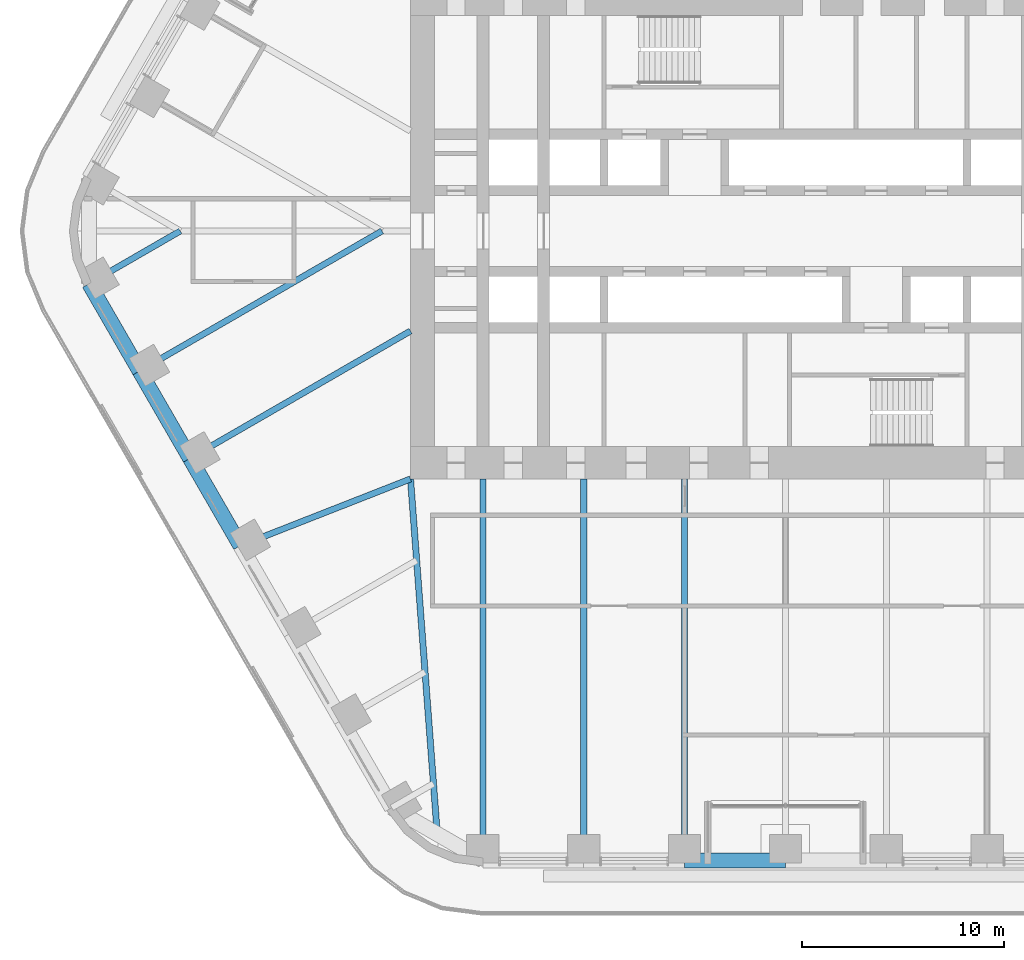
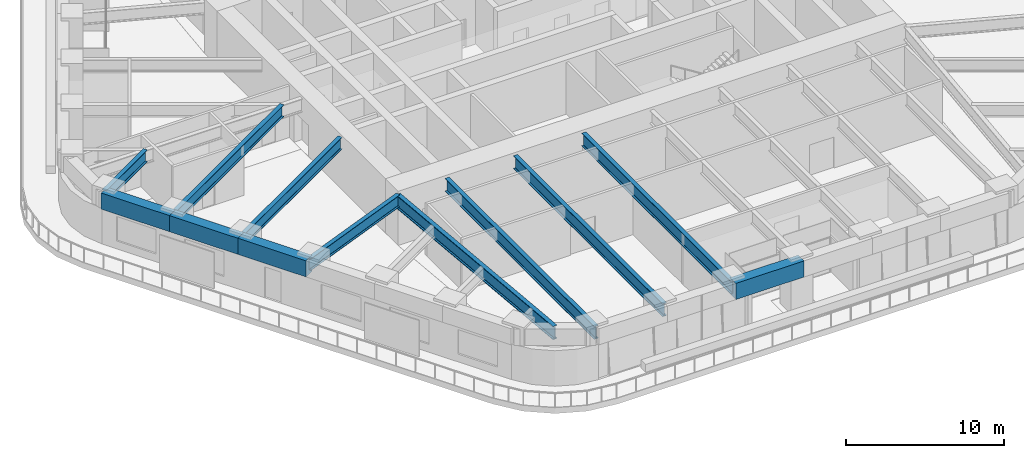
# One storey, part 3 of 24: 12 beams.
"""IFC4 building model written with IfcOpenShell, lengths in metres."""

import ifcopenshell
import ifcopenshell.guid

model = None  # the IFC model being written
_history = None  # IfcOwnerHistory: only IFC2X3 demands one
_inside = {}  # id of a spatial element -> (the spatial element, [elements in it])
_under = {}  # id of a project, library or spatial element -> (it, [spatial elements below it])
_declared = {}  # id of a project -> (the project, [libraries it declares])
_typed = {}  # id of a type object -> (the type object, [elements of that type])
_made_of = {}  # id of a material, layer set ... -> (it, [elements and type objects made of it])


def new_model(schema):
    """Start an empty IFC model of exactly this schema.

    Asked for "IFC4X3", IfcOpenShell would pick the latest addendum, in which some entities
    have other attributes; the version numbers below select the first issue.
    IFC2X3 requires an IfcOwnerHistory on every rooted entity: one is made here for all.
    """
    global model, _history
    if schema == "IFC4X3":
        model = ifcopenshell.file(schema_version=(4, 3, 0, 0))
    else:
        model = ifcopenshell.file(schema=schema)
    _inside.clear()
    _under.clear()
    _declared.clear()
    _typed.clear()
    _made_of.clear()
    _history = None
    if model.schema == "IFC2X3":
        org = make("IfcOrganization", Name="unknown")
        user = make(
            "IfcPersonAndOrganization",
            ThePerson=make("IfcPerson", FamilyName="unknown"),
            TheOrganization=org,
        )
        app = make(
            "IfcApplication",
            ApplicationDeveloper=org,
            Version="unknown",
            ApplicationFullName="unknown",
            ApplicationIdentifier="unknown",
        )
        _history = make(
            "IfcOwnerHistory",
            OwningUser=user,
            OwningApplication=app,
            ChangeAction="ADDED",
            CreationDate=0,
        )
    return model


def make(cls, **values):
    """One entity of the class cls with the attributes given. An attribute that is None is left unset."""
    return model.create_entity(
        cls, **{name: value for name, value in values.items() if value is not None}
    )


def rooted(cls, **values):
    """An entity with a GlobalId (a new one), such as an element, a storey or a relation."""
    return make(cls, GlobalId=ifcopenshell.guid.new(), OwnerHistory=_history, **values)


def si_unit(unit_type, name, prefix=None):
    """IfcSIUnit, for example si_unit("LENGTHUNIT", "METRE", prefix="MILLI")."""
    return make("IfcSIUnit", UnitType=unit_type, Prefix=prefix, Name=name)


def assignment(units):
    """IfcUnitAssignment: the units of a project."""
    return None if units is None else make("IfcUnitAssignment", Units=units)


def point(xyz):
    """IfcCartesianPoint."""
    return None if xyz is None else make("IfcCartesianPoint", Coordinates=xyz)


def direction(xyz):
    """IfcDirection."""
    return None if xyz is None else make("IfcDirection", DirectionRatios=xyz)


def frame(location, z_axis=None, x_axis=None):
    """IfcAxis2Placement3D, a coordinate frame: its origin and axes. An axis left out is left unset."""
    return make(
        "IfcAxis2Placement3D",
        Location=point(location),
        Axis=direction(z_axis),
        RefDirection=direction(x_axis),
    )


def frame_2d(location, x_axis=None):
    """IfcAxis2Placement2D, a coordinate frame in the plane: its origin and x axis."""
    return make(
        "IfcAxis2Placement2D", Location=point(location), RefDirection=direction(x_axis)
    )


def origin():
    """The frame at (0, 0, 0) with its axes left unset."""
    return frame((0.0, 0.0, 0.0))


def origin_2d():
    """The frame at (0, 0) in the plane with its x axis left unset."""
    return frame_2d((0.0, 0.0))


def place(relative_to, where):
    """IfcLocalPlacement: puts the frame where relative to a parent placement (None: the world)."""
    return make(
        "IfcLocalPlacement", PlacementRelTo=relative_to, RelativePlacement=where
    )


def context(
    kind, dimensions, precision=None, world=None, true_north=None, identifier=None
):
    """IfcGeometricRepresentationContext, for example the 3D "Model" context."""
    return make(
        "IfcGeometricRepresentationContext",
        ContextIdentifier=identifier,
        ContextType=kind,
        CoordinateSpaceDimension=dimensions,
        Precision=precision,
        WorldCoordinateSystem=world,
        TrueNorth=true_north,
    )


def subcontext(parent, identifier, kind, view, scale=None):
    """IfcGeometricRepresentationSubContext, for example "Body" below "Model"."""
    return make(
        "IfcGeometricRepresentationSubContext",
        ContextIdentifier=identifier,
        ContextType=kind,
        ParentContext=parent,
        TargetScale=scale,
        TargetView=view,
    )


def project(units=None, contexts=None):
    """IfcProject with its units and contexts."""
    return rooted(
        "IfcProject",
        Name="project",
        RepresentationContexts=contexts,
        UnitsInContext=assignment(units),
    )


def spatial(cls, under=None, at=None, **own):
    """A site, building, storey or space (cls), placed at a placement, below another one or the project."""
    s = rooted(cls, ObjectPlacement=at, **own)
    if under is not None:
        _under.setdefault(under.id(), (under, []))[1].append(s)
    return s


def profile(cls, at=None, kind="AREA", **sizes):
    """A parametric profile (cls). Its sizes go by their IFC names, for example OverallWidth=200.0."""
    return make(cls, ProfileType=kind, Position=at, **sizes)


def rectangle(**sizes):
    """IfcRectangleProfileDef."""
    return profile("IfcRectangleProfileDef", **sizes)


def i_section(**sizes):
    """IfcIShapeProfileDef."""
    return profile("IfcIShapeProfileDef", **sizes)


def extrude(swept, where, along, depth):
    """IfcExtrudedAreaSolid: the profile swept, set in the frame where, extruded along a direction by depth."""
    return make(
        "IfcExtrudedAreaSolid",
        SweptArea=swept,
        Position=where,
        ExtrudedDirection=direction(along),
        Depth=depth,
    )


def shape(context_of_items, identifier, shape_type, items):
    """IfcShapeRepresentation: the items that make up one representation, for example the "Body"."""
    return make(
        "IfcShapeRepresentation",
        ContextOfItems=context_of_items,
        RepresentationIdentifier=identifier,
        RepresentationType=shape_type,
        Items=items,
    )


def material(Name=None, Category=None):
    """IfcMaterial."""
    return make("IfcMaterial", Name=Name, Category=Category)


def material_profile(
    of_material, cross_section, Name=None, Category=None, Priority=None
):
    """IfcMaterialProfile: a cross section and its material."""
    return make(
        "IfcMaterialProfile",
        Name=Name,
        Material=of_material,
        Profile=cross_section,
        Priority=Priority,
        Category=Category,
    )


def profile_set(profiles, Name=None, composite=None):
    """IfcMaterialProfileSet."""
    return make(
        "IfcMaterialProfileSet",
        Name=Name,
        MaterialProfiles=profiles,
        CompositeProfile=composite,
    )


def made_of(thing, what):
    """Note that an element or type object is made of a material, layer set ...; save() writes the relation."""
    if what is not None:
        _made_of.setdefault(what.id(), (what, []))[1].append(thing)
    return thing


def type_object(cls, material=None, **own):
    """A type object (cls), such as IfcWallType, which elements share."""
    return made_of(rooted(cls, **own), material)


def element(
    cls,
    number,
    at=None,
    inside=None,
    cuts=None,
    type_object=None,
    material=None,
    context=None,
    identifier="Body",
    shape_type=None,
    held_by="IfcProductDefinitionShape",
    body=None,
    shapes=None,
    **own,
):
    """One element of the class cls, such as IfcWall. Its Tag is "e" and its number.

    at: its placement. inside: the storey or other place that contains it. cuts: it is an
    opening in that element (IfcRelVoidsElement). A single representation is given by context,
    identifier, shape_type and body (its items); several are given by shapes. held_by: the class
    of the entity that holds the representations. save() writes the other relations.
    """
    e = rooted(cls, Tag="e%d" % number, ObjectPlacement=at, **own)
    if body is not None:
        shapes = [shape(context, identifier, shape_type, body)]
    if shapes is not None:
        e.Representation = make(held_by, Representations=shapes)
    if inside is not None:
        _inside.setdefault(inside.id(), (inside, []))[1].append(e)
    if cuts is not None:
        rooted(
            "IfcRelVoidsElement", RelatingBuildingElement=cuts, RelatedOpeningElement=e
        )
    if type_object is not None:
        _typed.setdefault(type_object.id(), (type_object, []))[1].append(e)
    return made_of(e, material)


def aggregate(whole, parts):
    """IfcRelAggregates: a whole, such as a stair, and the parts it consists of."""
    return rooted("IfcRelAggregates", RelatingObject=whole, RelatedObjects=parts)


def save(model, path):
    """Write the relations noted so far, then the file.

    IfcRelAggregates (storeys below a building ...), IfcRelContainedInSpatialStructure (elements
    in a storey), IfcRelDefinesByType, IfcRelAssociatesMaterial and IfcRelDeclares: one each for
    every whole, place, type object, material and project.
    """
    for whole, parts in _under.values():
        aggregate(whole, parts)
    for where, things in _inside.values():
        rooted(
            "IfcRelContainedInSpatialStructure",
            RelatedElements=things,
            RelatingStructure=where,
        )
    for kind, things in _typed.values():
        rooted("IfcRelDefinesByType", RelatedObjects=things, RelatingType=kind)
    for what, things in _made_of.values():
        rooted("IfcRelAssociatesMaterial", RelatedObjects=things, RelatingMaterial=what)
    for by, libraries in _declared.values():
        rooted("IfcRelDeclares", RelatingContext=by, RelatedDefinitions=libraries)
    model.write(path)


model = new_model("IFC4")

# Units and contexts
model_context = context("Model", 3, precision=1e-05, world=origin(), true_north=direction((0.0, 1.0)))
body_context = subcontext(model_context, "Body", "Model", "MODEL_VIEW")
ifc_project = project(units=[si_unit("LENGTHUNIT", "METRE"), si_unit("AREAUNIT", "SQUARE_METRE"), si_unit("VOLUMEUNIT", "CUBIC_METRE"), si_unit("PLANEANGLEUNIT", "RADIAN"), si_unit("MASSUNIT", "GRAM", prefix="KILO")], contexts=[model_context])

# Site, building, storey
site_placement = place(None, origin())
site = spatial("IfcSite", under=ifc_project, at=site_placement, CompositionType="ELEMENT")
building_placement = place(site_placement, origin())
building = spatial("IfcBuilding", under=site, at=building_placement, Name="Tarfa Lantern Tower", CompositionType="ELEMENT")
storey_placement = place(building_placement, frame((0.0, 0.0, 174.10009765625)))
storey = spatial("IfcBuildingStorey", under=building, at=storey_placement, Name="L39", CompositionType="ELEMENT", Elevation=174.10009765625)

# Beams
ifc_material_1 = material(Name="Concrete C80/95", Category="concrete")
ifc_material_profile_1 = material_profile(ifc_material_1, rectangle(XDim=0.75, YDim=1.25, at=origin_2d()), Name="RC 750x1250")
ifc_profile_set_1 = profile_set([ifc_material_profile_1], Name="Concrete C80/95")
beam_type_1 = type_object("IfcBeamType", Name="EB2 RC 750x1250", PredefinedType="SPANDREL", material=ifc_profile_set_1)
for number, where, z_axis, x_axis, name in (
    (1, (-34.54296875, -2.610107421875, 3.375), (0.500022324899, -0.866012514114, 0.0), (0.866012514114, 0.500022324899, 0.0), "Edge beam SW0"),
    (2, (-32.041015625, -6.943359375, 3.375), (0.500022324899, -0.866012514114, 0.0), (0.866012514114, 0.500022324899, 0.0), "Edge beam SW1"),
    (3, (-29.5390625, -11.276611328125, 3.375), (0.499964603504, -0.866045838996, 0.0), (0.866045838996, 0.499964603504, 0.0), "Edge beam SW2"),
    (4, (-5.003662109375, -31.219970703125, 3.375), (1.0, 0.0, 0.0), (0.0, 1.0, 0.0), "Edge beam S2"),
):
    element("IfcBeam", number, at=place(storey_placement, frame(where, z_axis=z_axis, x_axis=x_axis)), inside=storey, type_object=beam_type_1, Name=name, PredefinedType="SPANDREL", context=body_context, shape_type="SweptSolid", body=[
        extrude(rectangle(XDim=0.75, YDim=1.25, at=origin_2d()), origin(), (0.0, 0.0, 1.0), 5.003662109375),
    ])
ifc_material_2 = material(Name="Steel S460M", Category="steel")
ifc_material_profile_2 = material_profile(ifc_material_2, i_section(OverallWidth=0.302001953125, OverallDepth=1.008056640625, WebThickness=0.02099609375, FlangeThickness=0.0400390625, FilletRadius=0.030029296875, at=origin_2d()), Name="UB1016x305x349")
ifc_profile_set_2 = profile_set([ifc_material_profile_2], Name="Steel S460M")
beam_type_2 = type_object("IfcBeamType", Name="UB1016x305x349", PredefinedType="BEAM", material=ifc_profile_set_2)
for number, where, z_axis, x_axis, name in (
    (5, (-15.010986328125, -31.219970703125, 3.495849609375), (0.0, 1.0, 0.0), (-1.0, 0.0, 0.0), "Floor beam S0"),
    (6, (-10.00732421875, -31.219970703125, 3.495849609375), (0.0, 1.0, 0.0), (-1.0, 0.0, 0.0), "Floor beam S1"),
    (7, (-5.003662109375, -31.219970703125, 3.495849609375), (0.0, 1.0, 0.0), (-1.0, 0.0, 0.0), "Floor beam S2"),
):
    element("IfcBeam", number, at=place(storey_placement, frame(where, z_axis=z_axis, x_axis=x_axis)), inside=storey, type_object=beam_type_2, Name=name, PredefinedType="BEAM", context=body_context, shape_type="SweptSolid", body=[
        extrude(i_section(OverallWidth=0.302001953125, OverallDepth=1.008056640625, WebThickness=0.02099609375, FlangeThickness=0.0400390625, FilletRadius=0.030029296875, at=origin_2d()), origin(), (0.0, 0.0, 1.0), 18.919921875),
    ])
ifc_material_profile_3 = material_profile(ifc_material_2, i_section(OverallWidth=0.30859375, OverallDepth=1.036376953125, WebThickness=0.030029296875, FlangeThickness=0.05419921875, FilletRadius=0.030029296875, at=origin_2d()), Name="UB1016x305x487")
ifc_profile_set_3 = profile_set([ifc_material_profile_3], Name="Steel S460M")
beam_type_3 = type_object("IfcBeamType", Name="UB1016x305x487", PredefinedType="BEAM", material=ifc_profile_set_3)
beam_1_placement = place(storey_placement, frame((-18.60009765625, -12.300048828125, 3.481689453125), z_axis=(0.075211516041, -0.99716760269, 0.0), x_axis=(0.99716760269, 0.075211516041, 0.0)))
element("IfcBeam", 8, at=beam_1_placement, inside=storey, type_object=beam_type_3, Name="Hip girder SW", PredefinedType="BEAM", context=body_context, shape_type="SweptSolid", body=[
    extrude(i_section(OverallWidth=0.30859375, OverallDepth=1.036376953125, WebThickness=0.030029296875, FlangeThickness=0.05419921875, FilletRadius=0.030029296875, at=origin_2d()), origin(), (0.0, 0.0, 1.0), 17.6650390625),
])
ifc_material_profile_4 = material_profile(ifc_material_2, i_section(OverallWidth=0.305419921875, OverallDepth=0.91845703125, WebThickness=0.017333984375, FlangeThickness=0.02783203125, FilletRadius=0.01904296875, at=origin_2d()), Name="UB914x305x253")
ifc_profile_set_4 = profile_set([ifc_material_profile_4], Name="Steel S460M")
beam_type_4 = type_object("IfcBeamType", Name="UB914x305x253", PredefinedType="BEAM", material=ifc_profile_set_4)
beam_2_placement = place(storey_placement, frame((-34.54296875, -2.610107421875, 3.540771484375), z_axis=(0.866021250859, 0.500007193008, 0.0), x_axis=(-0.500007193008, 0.866021250859, 0.0)))
element("IfcBeam", 9, at=beam_2_placement, inside=storey, type_object=beam_type_4, Name="Floor beam SW0", PredefinedType="BEAM", context=body_context, shape_type="SweptSolid", body=[
    extrude(i_section(OverallWidth=0.305419921875, OverallDepth=0.91845703125, WebThickness=0.017333984375, FlangeThickness=0.02783203125, FilletRadius=0.01904296875, at=origin_2d()), origin(), (0.0, 0.0, 1.0), 5.22021484375),
])
beam_3_placement = place(storey_placement, frame((-32.041015625, -6.943359375, 3.540771484375), z_axis=(0.866023096411, 0.500003996466, 0.0), x_axis=(-0.500003996466, 0.866023096411, 0.0)))
element("IfcBeam", 10, at=beam_3_placement, inside=storey, type_object=beam_type_4, Name="Floor beam SW1", PredefinedType="BEAM", context=body_context, shape_type="SweptSolid", body=[
    extrude(i_section(OverallWidth=0.305419921875, OverallDepth=0.91845703125, WebThickness=0.017333984375, FlangeThickness=0.02783203125, FilletRadius=0.01904296875, at=origin_2d()), origin(), (0.0, 0.0, 1.0), 13.88671875),
])
beam_4_placement = place(storey_placement, frame((-29.5390625, -11.276611328125, 3.540771484375), z_axis=(0.866023362995, 0.500003534735, 0.0), x_axis=(-0.500003534735, 0.866023362995, 0.0)))
element("IfcBeam", 11, at=beam_4_placement, inside=storey, type_object=beam_type_4, Name="Floor beam SW2", PredefinedType="BEAM", context=body_context, shape_type="SweptSolid", body=[
    extrude(i_section(OverallWidth=0.305419921875, OverallDepth=0.91845703125, WebThickness=0.017333984375, FlangeThickness=0.02783203125, FilletRadius=0.01904296875, at=origin_2d()), origin(), (0.0, 0.0, 1.0), 12.63134765625),
])
beam_5_placement = place(storey_placement, frame((-27.037353515625, -15.610107421875, 3.540771484375), z_axis=(0.930923282782, 0.365214788274, 0.0), x_axis=(-0.365214788274, 0.930923282782, 0.0)))
element("IfcBeam", 12, at=beam_5_placement, inside=storey, type_object=beam_type_4, Name="Floor beam SW3", PredefinedType="BEAM", context=body_context, shape_type="SweptSolid", body=[
    extrude(i_section(OverallWidth=0.305419921875, OverallDepth=0.91845703125, WebThickness=0.017333984375, FlangeThickness=0.02783203125, FilletRadius=0.01904296875, at=origin_2d()), origin(), (0.0, 0.0, 1.0), 9.063232421875),
])

save(model, "model.ifc")
